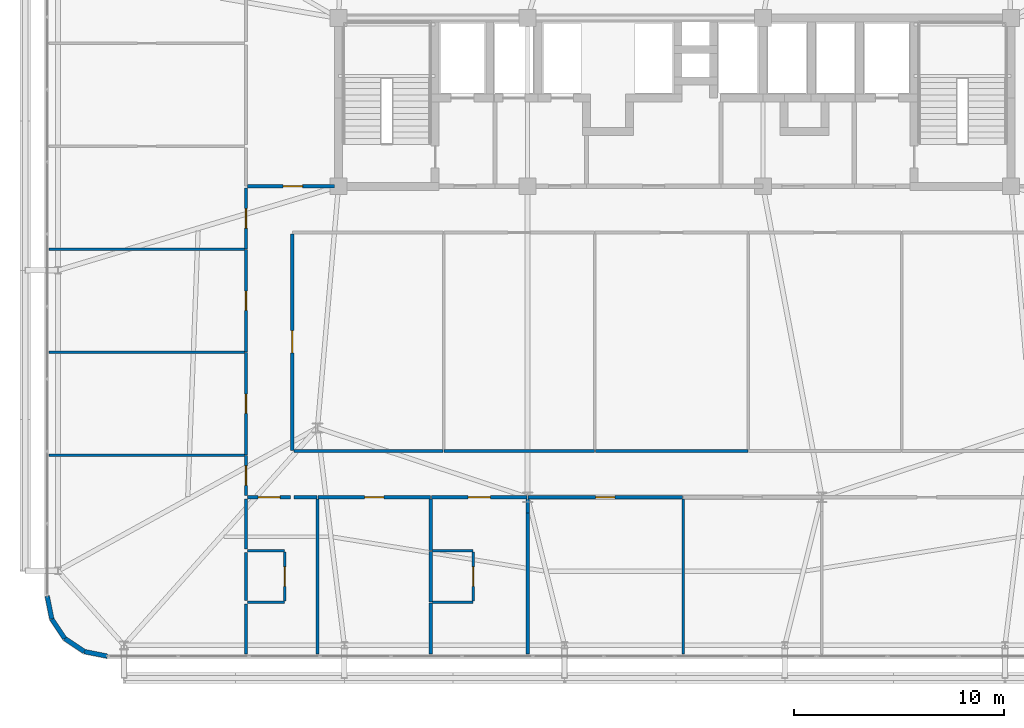
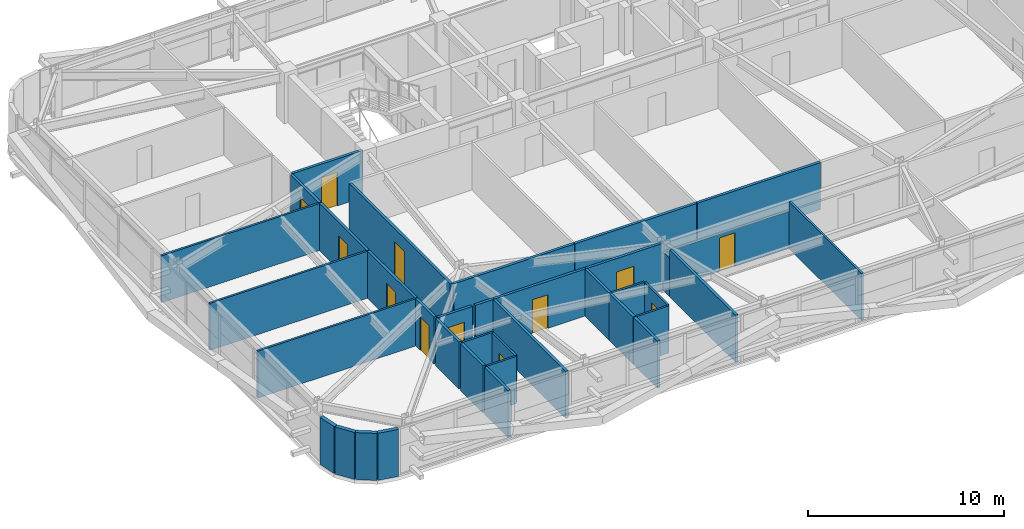
# One storey, part 52 of 58: 37 walls, 12 doors, 12 openings.
"""IFC4 building model written with IfcOpenShell, lengths in metres."""

from ifc_helpers import new_model, si_unit, direction, frame, frame_2d, origin, place, context, subcontext, project, spatial, rectangle, extrude, source, transform, mapped, material, layer, layer_set, type_object, element, fill, save


model = new_model("IFC4")

# Units and contexts
model_context = context("Model", 3, precision=1e-05, world=origin(), true_north=direction((0.0, 1.0)))
body_context = subcontext(model_context, "Body", "Model", "MODEL_VIEW")
ifc_project = project(units=[si_unit("LENGTHUNIT", "METRE"), si_unit("AREAUNIT", "SQUARE_METRE"), si_unit("VOLUMEUNIT", "CUBIC_METRE"), si_unit("PLANEANGLEUNIT", "RADIAN"), si_unit("MASSUNIT", "GRAM", prefix="KILO")], contexts=[model_context])

# Site, building, storey
site_placement = place(None, origin())
site = spatial("IfcSite", under=ifc_project, at=site_placement, CompositionType="ELEMENT")
building_placement = place(site_placement, origin())
building = spatial("IfcBuilding", under=site, at=building_placement, Name="Taldren Reach Tower", CompositionType="ELEMENT")
storey_placement = place(building_placement, frame((0.0, 0.0, 32.550048828125)))
storey = spatial("IfcBuildingStorey", under=building, at=storey_placement, Name="L09", CompositionType="ELEMENT", Elevation=32.550048828125)

# Walls
ifc_material_1 = material(Name="Pale Champagne Anodised Aluminium Cladding", Category="aluminium")
ifc_layer_1 = layer(ifc_material_1, 0.04, Name="Pale Champagne Anodised Aluminium Cladding", Category="aluminium")
ifc_material_2 = material(Name="Mineral Wool Acoustic Insulation", Category="insulation")
ifc_layer_2 = layer(ifc_material_2, 0.06, Name="Mineral Wool Acoustic Insulation", Category="insulation")
ifc_material_3 = material(Name="Steel Gr 350 (C350L0)", Category="steel")
ifc_layer_3 = layer(ifc_material_3, 0.12, Name="Steel Gr 350 (C350L0)", Category="steel")
ifc_layer_set_1 = layer_set([ifc_layer_1, ifc_layer_2, ifc_layer_3], Name="Pale Champagne Aluminium Cladding and Steel Gr 350 Stud Framing")
wall_type_1 = type_object("IfcWallType", Name="EW-CRN-220", PredefinedType="SOLIDWALL", material=ifc_layer_set_1)
shared_shape_1 = source(origin(), body_context, "Body", "SweptSolid", [
    extrude(rectangle(XDim=1.115966796875, YDim=0.219970703125, at=frame_2d((0.55810546875, 0.0))), origin(), (0.0, 0.0, 1.0), 2.929931640625),
])
for number, where, z_axis, x_axis, name in (
    (1, (5.139892578125, 4.5, 0.0), (0.0, 0.0, 1.0), (0.195148375659, -0.98077373103, 0.0), "Rounded-corner pale-metal facade wall L09-SW1"),
    (2, (5.357666015625, 3.405517578125, 0.0), (0.0, 0.0, 1.0), (0.555709556774, -0.83137650226, 0.0), "Rounded-corner pale-metal facade wall L09-SW2"),
    (3, (5.977783203125, 2.477783203125, 0.0), (0.0, 0.0, 1.0), (0.83137650226, -0.555709556774, 0.0), "Rounded-corner pale-metal facade wall L09-SW3"),
    (4, (6.905517578125, 1.857666015625, 0.0), (0.0, 0.0, 1.0), (0.98077373103, -0.195148375659, 0.0), "Rounded-corner pale-metal facade wall L09-SW4"),
):
    element("IfcWall", number, at=place(storey_placement, frame(where, z_axis=z_axis, x_axis=x_axis)), inside=storey, type_object=wall_type_1, Name=name, PredefinedType="SOLIDWALL", context=body_context, shape_type="MappedRepresentation", body=[
        mapped(shared_shape_1, transform((0.0, 0.0, 0.0), scale=1.0)),
    ])

# Wall, opening, door
ifc_material_4 = material(Name="Fire-Rated Acoustic Plasterboard Stud Wall", Category="gypsum")
ifc_layer_4 = layer(ifc_material_4, 0.159912109375)
ifc_layer_set_2 = layer_set([ifc_layer_4], Name="Fire-Rated Acoustic Plasterboard Stud Wall")
wall_type_2 = type_object("IfcWallType", Name="IW-FIRE-160", PredefinedType="PARTITIONING", material=ifc_layer_set_2)
shared_shape_2 = source(origin(), body_context, "Body", "SweptSolid", [
    extrude(rectangle(XDim=10.2998046875, YDim=0.159912109375, at=frame_2d((5.14990234375, 0.0))), origin(), (0.0, 0.0, 1.0), 2.929931640625),
])
wall_1_placement = place(storey_placement, frame((16.800048828125, 21.719970703125, 0.0), z_axis=(0.0, 0.0, 1.0), x_axis=(0.0, -1.0, 0.0)))
wall_1 = element("IfcWall", 5, at=wall_1_placement, inside=storey, type_object=wall_type_2, Name="Interior Partition Wall W-INT-L09-045", PredefinedType="PARTITIONING", context=body_context, shape_type="MappedRepresentation", body=[
    mapped(shared_shape_2, transform((0.0, 0.0, 0.0), scale=1.0)),
])
shared_shape_3 = source(origin(), body_context, "Body", "SweptSolid", [
    extrude(rectangle(XDim=1.050048828125, YDim=2.10009765625, at=frame_2d((0.52490234375, 1.050048828125))), frame((0.0, 0.08984375, 0.0), z_axis=(0.0, -1.0, 0.0), x_axis=(1.0, 0.0, 0.0)), (0.0, 0.0, 1.0), 0.179931640625),
])
opening_1_placement = place(wall_1_placement, frame((4.594970703125, 0.0, 0.0)))
opening_1 = element("IfcOpeningElement", 6, at=opening_1_placement, cuts=wall_1, Name="Opening DF-105", PredefinedType="OPENING", context=body_context, shape_type="MappedRepresentation", body=[
    mapped(shared_shape_3, transform((0.0, 0.0, 0.0), scale=1.0)),
])
ifc_material_5 = material(Name="Fire-Rated Care and Stair Exit Door")
door_type_1 = type_object("IfcDoorType", Name="ID-FIRE-105", OperationType="NOTDEFINED", PredefinedType="DOOR", material=ifc_material_5)
shared_shape_4 = source(origin(), body_context, "Body", "SweptSolid", [
    extrude(rectangle(XDim=1.050048828125, YDim=2.10009765625, at=frame_2d((0.52490234375, 1.050048828125))), frame((0.0, 0.02490234375, 0.0), z_axis=(0.0, -1.0, 0.0), x_axis=(1.0, 0.0, 0.0)), (0.0, 0.0, 1.0), 0.050048828125),
])
door_1_placement = place(opening_1_placement, origin())
door_1 = element("IfcDoor", 7, at=door_1_placement, inside=storey, type_object=door_type_1, Name="Interior Door DR-L09-008", OperationType="SINGLE_SWING_LEFT", OverallHeight=2.10009765625, OverallWidth=1.050048828125, PredefinedType="DOOR", context=body_context, shape_type="MappedRepresentation", body=[
    mapped(shared_shape_4, transform((0.0, 0.0, 0.0), scale=1.0)),
])
fill(opening_1, door_1)

shared_shape_5 = source(origin(), body_context, "Body", "SweptSolid", [
    extrude(rectangle(XDim=2.0400390625, YDim=0.159912109375, at=frame_2d((1.02001953125, 0.0))), origin(), (0.0, 0.0, 1.0), 2.929931640625),
])
wall_2_placement = place(storey_placement, frame((16.719970703125, 9.199951171875, 0.0), z_axis=(0.0, 0.0, 1.0), x_axis=(-1.0, 0.0, 0.0)))
wall_2 = element("IfcWall", 8, at=wall_2_placement, inside=storey, type_object=wall_type_2, Name="Interior Partition Wall W-INT-L09-052", PredefinedType="PARTITIONING", context=body_context, shape_type="MappedRepresentation", body=[
    mapped(shared_shape_5, transform((0.0, 0.0, 0.0), scale=1.0)),
])
opening_2_placement = place(wall_2_placement, frame((0.4951171875, 0.0, 0.0)))
opening_2 = element("IfcOpeningElement", 9, at=opening_2_placement, cuts=wall_2, Name="Opening DF-105", PredefinedType="OPENING", context=body_context, shape_type="MappedRepresentation", body=[
    mapped(shared_shape_3, transform((0.0, 0.0, 0.0), scale=1.0)),
])
door_2_placement = place(opening_2_placement, origin())
door_2 = element("IfcDoor", 10, at=door_2_placement, inside=storey, type_object=door_type_1, Name="Interior Door DR-L09-013", OperationType="SINGLE_SWING_RIGHT", OverallHeight=2.10009765625, OverallWidth=1.050048828125, PredefinedType="DOOR", context=body_context, shape_type="MappedRepresentation", body=[
    mapped(shared_shape_4, transform((0.0, 0.0, 0.0), scale=1.0)),
])
fill(opening_2, door_2)

shared_shape_6 = source(origin(), body_context, "Body", "SweptSolid", [
    extrude(rectangle(XDim=4.130126953125, YDim=0.159912109375, at=frame_2d((2.06494140625, 0.0))), origin(), (0.0, 0.0, 1.0), 2.929931640625),
])
wall_3_placement = place(storey_placement, frame((14.679931640625, 24.0, 0.0), z_axis=(0.0, 0.0, 1.0), x_axis=(1.0, 0.0, 0.0)))
wall_3 = element("IfcWall", 11, at=wall_3_placement, inside=storey, type_object=wall_type_2, Name="Interior Partition Wall W-INT-L09-060", PredefinedType="PARTITIONING", context=body_context, shape_type="MappedRepresentation", body=[
    mapped(shared_shape_6, transform((0.0, 0.0, 0.0), scale=1.0)),
])
shared_shape_7 = source(origin(), body_context, "Body", "SweptSolid", [
    extrude(rectangle(XDim=0.919921875, YDim=2.10009765625, at=frame_2d((0.4599609375, 1.050048828125))), frame((0.0, 0.08984375, 0.0), z_axis=(0.0, -1.0, 0.0), x_axis=(1.0, 0.0, 0.0)), (0.0, 0.0, 1.0), 0.179931640625),
])
opening_3_placement = place(wall_3_placement, frame((1.68994140625, 0.0, 0.0)))
opening_3 = element("IfcOpeningElement", 12, at=opening_3_placement, cuts=wall_3, Name="Opening DI-092", PredefinedType="OPENING", context=body_context, shape_type="MappedRepresentation", body=[
    mapped(shared_shape_7, transform((0.0, 0.0, 0.0), scale=1.0)),
])
ifc_material_6 = material(Name="Solid-Core Timber Suite Door", Category="wood")
door_type_2 = type_object("IfcDoorType", Name="ID-INT-092", OperationType="NOTDEFINED", PredefinedType="DOOR", material=ifc_material_6)
shared_shape_8 = source(origin(), body_context, "Body", "SweptSolid", [
    extrude(rectangle(XDim=0.919921875, YDim=2.10009765625, at=frame_2d((0.4599609375, 1.050048828125))), frame((0.0, 0.02490234375, 0.0), z_axis=(0.0, -1.0, 0.0), x_axis=(1.0, 0.0, 0.0)), (0.0, 0.0, 1.0), 0.050048828125),
])
door_3_placement = place(opening_3_placement, origin())
door_3 = element("IfcDoor", 13, at=door_3_placement, inside=storey, type_object=door_type_2, Name="Interior Door DR-L09-021", OperationType="SINGLE_SWING_RIGHT", OverallHeight=2.10009765625, OverallWidth=0.919921875, PredefinedType="DOOR", context=body_context, shape_type="MappedRepresentation", body=[
    mapped(shared_shape_8, transform((0.0, 0.0, 0.0), scale=1.0)),
])
fill(opening_3, door_3)

# Wall
ifc_material_7 = material(Name="Insulated Residential Stud Partition", Category="gypsum")
ifc_layer_5 = layer(ifc_material_7, 0.1201171875)
ifc_layer_set_3 = layer_set([ifc_layer_5], Name="Insulated Residential Stud Partition")
wall_type_3 = type_object("IfcWallType", Name="IW-PART-120", PredefinedType="PARTITIONING", material=ifc_layer_set_3)
shared_shape_9 = source(origin(), body_context, "Body", "SweptSolid", [
    extrude(rectangle(XDim=7.39013671875, YDim=0.1201171875, at=frame_2d((3.695068359375, 0.0))), origin(), (0.0, 0.0, 1.0), 2.929931640625),
])
wall_4_placement = place(storey_placement, frame((35.39990234375, 9.1201171875, 0.0), z_axis=(0.0, 0.0, 1.0), x_axis=(0.0, -1.0, 0.0)))
element("IfcWall", 14, at=wall_4_placement, inside=storey, type_object=wall_type_3, Name="Interior Partition Wall W-INT-L09-092", PredefinedType="PARTITIONING", context=body_context, shape_type="MappedRepresentation", body=[
    mapped(shared_shape_9, transform((0.0, 0.0, 0.0), scale=1.0)),
])

# Wall, opening, door
shared_shape_10 = source(origin(), body_context, "Body", "SweptSolid", [
    extrude(rectangle(XDim=1.899658203125, YDim=0.159912109375, at=frame_2d((0.94970703125, 0.0))), origin(), (0.0, 0.0, 1.0), 2.929931640625),
])
wall_5_placement = place(storey_placement, frame((14.60009765625, 9.280029296875, 0.0), z_axis=(0.0, 0.0, 1.0), x_axis=(0.0, 1.0, 0.0)))
wall_5 = element("IfcWall", 15, at=wall_5_placement, inside=storey, type_object=wall_type_2, Name="Interior Partition Wall W-INT-L09-054", PredefinedType="PARTITIONING", context=body_context, shape_type="MappedRepresentation", body=[
    mapped(shared_shape_10, transform((0.0, 0.0, 0.0), scale=1.0)),
])
opening_4_placement = place(wall_5_placement, frame((0.489990234375, 0.0, 0.0)))
opening_4 = element("IfcOpeningElement", 16, at=opening_4_placement, cuts=wall_5, Name="Opening DI-092", PredefinedType="OPENING", context=body_context, shape_type="MappedRepresentation", body=[
    mapped(shared_shape_7, transform((0.0, 0.0, 0.0), scale=1.0)),
])
door_4_placement = place(opening_4_placement, origin())
door_4 = element("IfcDoor", 17, at=door_4_placement, inside=storey, type_object=door_type_2, Name="Interior Door DR-L09-015", OperationType="SINGLE_SWING_RIGHT", OverallHeight=2.10009765625, OverallWidth=0.919921875, PredefinedType="DOOR", context=body_context, shape_type="MappedRepresentation", body=[
    mapped(shared_shape_8, transform((0.0, 0.0, 0.0), scale=1.0)),
])
fill(opening_4, door_4)

# Wall
shared_shape_11 = source(origin(), body_context, "Body", "SweptSolid", [
    extrude(rectangle(XDim=1.099853515625, YDim=0.159912109375, at=frame_2d((0.5498046875, 0.0))), origin(), (0.0, 0.0, 1.0), 2.929931640625),
])
wall_6_placement = place(storey_placement, frame((17.979736328125, 9.199951171875, 0.0), z_axis=(0.0, 0.0, 1.0), x_axis=(-1.0, 0.0, 0.0)))
element("IfcWall", 18, at=wall_6_placement, inside=storey, type_object=wall_type_2, Name="Interior Partition Wall W-INT-L09-067", PredefinedType="PARTITIONING", context=body_context, shape_type="MappedRepresentation", body=[
    mapped(shared_shape_11, transform((0.0, 0.0, 0.0), scale=1.0)),
])

# Wall, opening, door
shared_shape_12 = source(origin(), body_context, "Body", "SweptSolid", [
    extrude(rectangle(XDim=5.359619140625, YDim=0.159912109375, at=frame_2d((2.6796875, 0.0))), origin(), (0.0, 0.0, 1.0), 2.929931640625),
])
wall_7_placement = place(storey_placement, frame((23.3798828125, 9.199951171875, 0.0), z_axis=(0.0, 0.0, 1.0), x_axis=(-1.0, 0.0, 0.0)))
wall_7 = element("IfcWall", 19, at=wall_7_placement, inside=storey, type_object=wall_type_2, Name="Interior Partition Wall W-INT-L09-068", PredefinedType="PARTITIONING", context=body_context, shape_type="MappedRepresentation", body=[
    mapped(shared_shape_12, transform((0.0, 0.0, 0.0), scale=1.0)),
])
opening_5_placement = place(wall_7_placement, frame((2.2197265625, 0.0, 0.0)))
opening_5 = element("IfcOpeningElement", 20, at=opening_5_placement, cuts=wall_7, Name="Opening DI-092", PredefinedType="OPENING", context=body_context, shape_type="MappedRepresentation", body=[
    mapped(shared_shape_7, transform((0.0, 0.0, 0.0), scale=1.0)),
])
door_5_placement = place(opening_5_placement, origin())
door_5 = element("IfcDoor", 21, at=door_5_placement, inside=storey, type_object=door_type_2, Name="Interior Door DR-L09-022", OperationType="SINGLE_SWING_LEFT", OverallHeight=2.10009765625, OverallWidth=0.919921875, PredefinedType="DOOR", context=body_context, shape_type="MappedRepresentation", body=[
    mapped(shared_shape_8, transform((0.0, 0.0, 0.0), scale=1.0)),
])
fill(opening_5, door_5)

shared_shape_13 = source(origin(), body_context, "Body", "SweptSolid", [
    extrude(rectangle(XDim=4.559326171875, YDim=0.159912109375, at=frame_2d((2.27978515625, 0.0))), origin(), (0.0, 0.0, 1.0), 2.929931640625),
])
wall_8_placement = place(storey_placement, frame((27.979736328125, 9.199951171875, 0.0), z_axis=(0.0, 0.0, 1.0), x_axis=(-1.0, 0.0, 0.0)))
wall_8 = element("IfcWall", 22, at=wall_8_placement, inside=storey, type_object=wall_type_2, Name="Interior Partition Wall W-INT-L09-069", PredefinedType="PARTITIONING", context=body_context, shape_type="MappedRepresentation", body=[
    mapped(shared_shape_13, transform((0.0, 0.0, 0.0), scale=1.0)),
])
opening_6_placement = place(wall_8_placement, frame((1.754638671875, 0.0, 0.0)))
opening_6 = element("IfcOpeningElement", 23, at=opening_6_placement, cuts=wall_8, Name="Opening DF-105", PredefinedType="OPENING", context=body_context, shape_type="MappedRepresentation", body=[
    mapped(shared_shape_3, transform((0.0, 0.0, 0.0), scale=1.0)),
])
door_6_placement = place(opening_6_placement, origin())
door_6 = element("IfcDoor", 24, at=door_6_placement, inside=storey, type_object=door_type_1, Name="Interior Door DR-L09-023", OperationType="SINGLE_SWING_RIGHT", OverallHeight=2.10009765625, OverallWidth=1.050048828125, PredefinedType="DOOR", context=body_context, shape_type="MappedRepresentation", body=[
    mapped(shared_shape_4, transform((0.0, 0.0, 0.0), scale=1.0)),
])
fill(opening_6, door_6)

shared_shape_14 = source(origin(), body_context, "Body", "SweptSolid", [
    extrude(rectangle(XDim=2.330078125, YDim=0.1201171875, at=frame_2d((1.1650390625, 0.0))), origin(), (0.0, 0.0, 1.0), 2.929931640625),
])
wall_9_placement = place(storey_placement, frame((16.449951171875, 4.260009765625, 0.0), z_axis=(0.0, 0.0, 1.0), x_axis=(0.0, 1.0, 0.0)))
wall_9 = element("IfcWall", 25, at=wall_9_placement, inside=storey, type_object=wall_type_3, Name="Interior Partition Wall W-INT-L09-078", PredefinedType="PARTITIONING", context=body_context, shape_type="MappedRepresentation", body=[
    mapped(shared_shape_14, transform((0.0, 0.0, 0.0), scale=1.0)),
])
shared_shape_15 = source(origin(), body_context, "Body", "SweptSolid", [
    extrude(rectangle(XDim=0.919921875, YDim=2.10009765625, at=frame_2d((0.4599609375, 1.050048828125))), frame((0.0, 0.070068359375, 0.0), z_axis=(0.0, -1.0, 0.0), x_axis=(1.0, 0.0, 0.0)), (0.0, 0.0, 1.0), 0.14013671875),
])
opening_7_placement = place(wall_9_placement, frame((0.705078125, 0.0, 0.0)))
opening_7 = element("IfcOpeningElement", 26, at=opening_7_placement, cuts=wall_9, Name="Opening DI-092", PredefinedType="OPENING", context=body_context, shape_type="MappedRepresentation", body=[
    mapped(shared_shape_15, transform((0.0, 0.0, 0.0), scale=1.0)),
])
door_7_placement = place(opening_7_placement, origin())
door_7 = element("IfcDoor", 27, at=door_7_placement, inside=storey, type_object=door_type_2, Name="Interior Door DR-L09-027", OperationType="SINGLE_SWING_RIGHT", OverallHeight=2.10009765625, OverallWidth=0.919921875, PredefinedType="DOOR", context=body_context, shape_type="MappedRepresentation", body=[
    mapped(shared_shape_8, transform((0.0, 0.0, 0.0), scale=1.0)),
])
fill(opening_7, door_7)

wall_10_placement = place(storey_placement, frame((25.424072265625, 4.260009765625, 0.0), z_axis=(0.0, 0.0, 1.0), x_axis=(0.0, 1.0, 0.0)))
wall_10 = element("IfcWall", 28, at=wall_10_placement, inside=storey, type_object=wall_type_3, Name="Interior Partition Wall W-INT-L09-088", PredefinedType="PARTITIONING", context=body_context, shape_type="MappedRepresentation", body=[
    mapped(shared_shape_14, transform((0.0, 0.0, 0.0), scale=1.0)),
])
opening_8_placement = place(wall_10_placement, frame((0.705078125, 0.0, 0.0)))
opening_8 = element("IfcOpeningElement", 29, at=opening_8_placement, cuts=wall_10, Name="Opening DI-092", PredefinedType="OPENING", context=body_context, shape_type="MappedRepresentation", body=[
    mapped(shared_shape_15, transform((0.0, 0.0, 0.0), scale=1.0)),
])
door_8_placement = place(opening_8_placement, origin())
door_8 = element("IfcDoor", 30, at=door_8_placement, inside=storey, type_object=door_type_2, Name="Interior Door DR-L09-028", OperationType="SINGLE_SWING_LEFT", OverallHeight=2.10009765625, OverallWidth=0.919921875, PredefinedType="DOOR", context=body_context, shape_type="MappedRepresentation", body=[
    mapped(shared_shape_8, transform((0.0, 0.0, 0.0), scale=1.0)),
])
fill(opening_8, door_8)

# Walls
shared_shape_16 = source(origin(), body_context, "Body", "SweptSolid", [
    extrude(rectangle(XDim=1.749755859375, YDim=0.1201171875, at=frame_2d((0.875, 0.0))), origin(), (0.0, 0.0, 1.0), 2.929931640625),
])
for number, where, z_axis, x_axis, name in (
    (31, (14.679931640625, 4.199951171875, 0.0), (0.0, 0.0, 1.0), (1.0, 0.0, 0.0), "Interior Partition Wall W-INT-L09-079"),
    (32, (16.4296875, 6.64990234375, 0.0), (0.0, 0.0, 1.0), (-1.0, 0.0, 0.0), "Interior Partition Wall W-INT-L09-080"),
):
    element("IfcWall", number, at=place(storey_placement, frame(where, z_axis=z_axis, x_axis=x_axis)), inside=storey, type_object=wall_type_3, Name=name, PredefinedType="PARTITIONING", context=body_context, shape_type="MappedRepresentation", body=[
        mapped(shared_shape_16, transform((0.0, 0.0, 0.0), scale=1.0)),
    ])
shared_shape_17 = source(origin(), body_context, "Body", "SweptSolid", [
    extrude(rectangle(XDim=2.40966796875, YDim=0.159912109375, at=frame_2d((1.204833984375, 0.0))), origin(), (0.0, 0.0, 1.0), 2.929931640625),
])
wall_11_placement = place(storey_placement, frame((23.39990234375, 6.6298828125, 0.0), z_axis=(0.0, 0.0, 1.0), x_axis=(0.0, -1.0, 0.0)))
element("IfcWall", 33, at=wall_11_placement, inside=storey, type_object=wall_type_2, Name="Interior Partition Wall W-INT-L09-087", PredefinedType="PARTITIONING", context=body_context, shape_type="MappedRepresentation", body=[
    mapped(shared_shape_17, transform((0.0, 0.0, 0.0), scale=1.0)),
])
shared_shape_18 = source(origin(), body_context, "Body", "SweptSolid", [
    extrude(rectangle(XDim=2.38818359375, YDim=0.159912109375, at=frame_2d((1.194091796875, 0.0))), origin(), (0.0, 0.0, 1.0), 2.929931640625),
])
wall_12_placement = place(storey_placement, frame((14.60009765625, 1.73193359375, 0.0), z_axis=(0.0, 0.0, 1.0), x_axis=(0.0, 1.0, 0.0)))
element("IfcWall", 34, at=wall_12_placement, inside=storey, type_object=wall_type_2, Name="Interior Partition Wall W-INT-L09-082", PredefinedType="PARTITIONING", context=body_context, shape_type="MappedRepresentation", body=[
    mapped(shared_shape_18, transform((0.0, 0.0, 0.0), scale=1.0)),
])
shared_shape_19 = source(origin(), body_context, "Body", "SweptSolid", [
    extrude(rectangle(XDim=2.387939453125, YDim=0.159912109375, at=frame_2d((1.19384765625, 0.0))), origin(), (0.0, 0.0, 1.0), 2.929931640625),
])
wall_13_placement = place(storey_placement, frame((14.60009765625, 6.72998046875, 0.0), z_axis=(0.0, 0.0, 1.0), x_axis=(0.0, 1.0, 0.0)))
element("IfcWall", 35, at=wall_13_placement, inside=storey, type_object=wall_type_2, Name="Interior Partition Wall W-INT-L09-083", PredefinedType="PARTITIONING", context=body_context, shape_type="MappedRepresentation", body=[
    mapped(shared_shape_19, transform((0.0, 0.0, 0.0), scale=1.0)),
])
shared_shape_20 = source(origin(), body_context, "Body", "SweptSolid", [
    extrude(rectangle(XDim=2.2900390625, YDim=0.159912109375, at=frame_2d((1.14501953125, 0.0))), origin(), (0.0, 0.0, 1.0), 2.929931640625),
])
wall_14_placement = place(storey_placement, frame((14.60009765625, 4.280029296875, 0.0), z_axis=(0.0, 0.0, 1.0), x_axis=(0.0, 1.0, 0.0)))
element("IfcWall", 36, at=wall_14_placement, inside=storey, type_object=wall_type_2, Name="Interior Partition Wall W-INT-L09-084", PredefinedType="PARTITIONING", context=body_context, shape_type="MappedRepresentation", body=[
    mapped(shared_shape_20, transform((0.0, 0.0, 0.0), scale=1.0)),
])
shared_shape_21 = source(origin(), body_context, "Body", "SweptSolid", [
    extrude(rectangle(XDim=7.385986328125, YDim=0.159912109375, at=frame_2d((3.69287109375, 0.0))), origin(), (0.0, 0.0, 1.0), 2.929931640625),
])
wall_15_placement = place(storey_placement, frame((18.0, 9.117919921875, 0.0), z_axis=(0.0, 0.0, 1.0), x_axis=(0.0, -1.0, 0.0)))
element("IfcWall", 37, at=wall_15_placement, inside=storey, type_object=wall_type_2, Name="Interior Partition Wall W-INT-L09-081", PredefinedType="PARTITIONING", context=body_context, shape_type="MappedRepresentation", body=[
    mapped(shared_shape_21, transform((0.0, 0.0, 0.0), scale=1.0)),
])
shared_shape_22 = source(origin(), body_context, "Body", "SweptSolid", [
    extrude(rectangle(XDim=2.44970703125, YDim=0.159912109375, at=frame_2d((1.224853515625, 0.0))), origin(), (0.0, 0.0, 1.0), 2.929931640625),
])
wall_16_placement = place(storey_placement, frame((23.39990234375, 4.1796875, 0.0), z_axis=(0.0, 0.0, 1.0), x_axis=(0.0, -1.0, 0.0)))
element("IfcWall", 38, at=wall_16_placement, inside=storey, type_object=wall_type_2, Name="Interior Partition Wall W-INT-L09-085", PredefinedType="PARTITIONING", context=body_context, shape_type="MappedRepresentation", body=[
    mapped(shared_shape_22, transform((0.0, 0.0, 0.0), scale=1.0)),
])
shared_shape_23 = source(origin(), body_context, "Body", "SweptSolid", [
    extrude(rectangle(XDim=0.669921875, YDim=0.159912109375, at=frame_2d((0.3349609375, 0.0))), origin(), (0.0, 0.0, 1.0), 2.39697265625),
])
wall_17_placement = place(storey_placement, frame((28.0, 9.117919921875, 0.0), z_axis=(0.0, 0.0, 1.0), x_axis=(0.0, -1.0, 0.0)))
element("IfcWall", 39, at=wall_17_placement, inside=storey, type_object=wall_type_2, Name="Interior Partition Wall W-INT-L09-091", PredefinedType="PARTITIONING", context=body_context, shape_type="MappedRepresentation", body=[
    mapped(shared_shape_23, transform((0.0, 0.0, 0.0), scale=1.0)),
])
shared_shape_24 = source(origin(), body_context, "Body", "SweptSolid", [
    extrude(rectangle(XDim=6.716064453125, YDim=0.159912109375, at=frame_2d((3.35791015625, 0.0))), origin(), (0.0, 0.0, 1.0), 2.929931640625),
])
wall_18_placement = place(storey_placement, frame((28.0, 8.447998046875, 0.0), z_axis=(0.0, 0.0, 1.0), x_axis=(0.0, -1.0, 0.0)))
element("IfcWall", 40, at=wall_18_placement, inside=storey, type_object=wall_type_2, Name="Interior Partition Wall W-INT-L09-091 part 2", PredefinedType="PARTITIONING", context=body_context, shape_type="MappedRepresentation", body=[
    mapped(shared_shape_24, transform((0.0, 0.0, 0.0), scale=1.0)),
])
shared_shape_25 = source(origin(), body_context, "Body", "SweptSolid", [
    extrude(rectangle(XDim=2.449951171875, YDim=0.159912109375, at=frame_2d((1.22509765625, 0.0))), origin(), (0.0, 0.0, 1.0), 2.929931640625),
])
wall_19_placement = place(storey_placement, frame((23.39990234375, 9.1201171875, 0.0), z_axis=(0.0, 0.0, 1.0), x_axis=(0.0, -1.0, 0.0)))
element("IfcWall", 41, at=wall_19_placement, inside=storey, type_object=wall_type_2, Name="Interior Partition Wall W-INT-L09-086", PredefinedType="PARTITIONING", context=body_context, shape_type="MappedRepresentation", body=[
    mapped(shared_shape_25, transform((0.0, 0.0, 0.0), scale=1.0)),
])
shared_shape_26 = source(origin(), body_context, "Body", "SweptSolid", [
    extrude(rectangle(XDim=1.923828125, YDim=0.1201171875, at=frame_2d((0.9619140625, 0.0))), origin(), (0.0, 0.0, 1.0), 2.929931640625),
])
for number, where, z_axis, x_axis, name in (
    (42, (23.47998046875, 4.199951171875, 0.0), (0.0, 0.0, 1.0), (1.0, 0.0, 0.0), "Interior Partition Wall W-INT-L09-089"),
    (43, (25.40380859375, 6.64990234375, 0.0), (0.0, 0.0, 1.0), (-1.0, 0.0, 0.0), "Interior Partition Wall W-INT-L09-090"),
):
    element("IfcWall", number, at=place(storey_placement, frame(where, z_axis=z_axis, x_axis=x_axis)), inside=storey, type_object=wall_type_3, Name=name, PredefinedType="PARTITIONING", context=body_context, shape_type="MappedRepresentation", body=[
        mapped(shared_shape_26, transform((0.0, 0.0, 0.0), scale=1.0)),
    ])
shared_shape_27 = source(origin(), body_context, "Body", "SweptSolid", [
    extrude(rectangle(XDim=9.2900390625, YDim=0.1201171875, at=frame_2d((4.64501953125, 0.0))), origin(), (0.0, 0.0, 1.0), 2.929931640625),
])
for number, where, z_axis, x_axis, name in (
    (44, (5.22998046875, 11.199951171875, 0.0), (0.0, 0.0, 1.0), (1.0, 0.0, 0.0), "Interior Partition Wall W-INT-L09-101"),
    (45, (5.22998046875, 16.10009765625, 0.0), (0.0, 0.0, 1.0), (1.0, 0.0, 0.0), "Interior Partition Wall W-INT-L09-102"),
    (46, (5.22998046875, 21.0, 0.0), (0.0, 0.0, 1.0), (1.0, 0.0, 0.0), "Interior Partition Wall W-INT-L09-103"),
):
    element("IfcWall", number, at=place(storey_placement, frame(where, z_axis=z_axis, x_axis=x_axis)), inside=storey, type_object=wall_type_3, Name=name, PredefinedType="PARTITIONING", context=body_context, shape_type="MappedRepresentation", body=[
        mapped(shared_shape_27, transform((0.0, 0.0, 0.0), scale=1.0)),
    ])
shared_shape_28 = source(origin(), body_context, "Body", "SweptSolid", [
    extrude(rectangle(XDim=7.159423828125, YDim=0.159912109375, at=frame_2d((3.57958984375, 0.0))), origin(), (0.0, 0.0, 1.0), 2.929931640625),
])
wall_20_placement = place(storey_placement, frame((24.020263671875, 11.39990234375, 0.0), z_axis=(0.0, 0.0, 1.0), x_axis=(1.0, 0.0, 0.0)))
element("IfcWall", 47, at=wall_20_placement, inside=storey, type_object=wall_type_2, Name="Interior Partition Wall W-INT-L09-063", PredefinedType="PARTITIONING", context=body_context, shape_type="MappedRepresentation", body=[
    mapped(shared_shape_28, transform((0.0, 0.0, 0.0), scale=1.0)),
])
shared_shape_29 = source(origin(), body_context, "Body", "SweptSolid", [
    extrude(rectangle(XDim=7.259521484375, YDim=0.159912109375, at=frame_2d((3.6298828125, 0.0))), origin(), (0.0, 0.0, 1.0), 2.929931640625),
])
wall_21_placement = place(storey_placement, frame((31.22021484375, 11.39990234375, 0.0), z_axis=(0.0, 0.0, 1.0), x_axis=(1.0, 0.0, 0.0)))
element("IfcWall", 48, at=wall_21_placement, inside=storey, type_object=wall_type_2, Name="Interior Partition Wall W-INT-L09-064", PredefinedType="PARTITIONING", context=body_context, shape_type="MappedRepresentation", body=[
    mapped(shared_shape_29, transform((0.0, 0.0, 0.0), scale=1.0)),
])

# Wall, opening, door
shared_shape_30 = source(origin(), body_context, "Body", "SweptSolid", [
    extrude(rectangle(XDim=4.859619140625, YDim=0.159912109375, at=frame_2d((2.4296875, 0.0))), origin(), (0.0, 0.0, 1.0), 2.929931640625),
])
wall_22_placement = place(storey_placement, frame((14.60009765625, 11.22021484375, 0.0), z_axis=(0.0, 0.0, 1.0), x_axis=(0.0, 1.0, 0.0)))
wall_22 = element("IfcWall", 49, at=wall_22_placement, inside=storey, type_object=wall_type_2, Name="Interior Partition Wall W-INT-L09-055", PredefinedType="PARTITIONING", context=body_context, shape_type="MappedRepresentation", body=[
    mapped(shared_shape_30, transform((0.0, 0.0, 0.0), scale=1.0)),
])
opening_9_placement = place(wall_22_placement, frame((1.9697265625, 0.0, 0.0)))
opening_9 = element("IfcOpeningElement", 50, at=opening_9_placement, cuts=wall_22, Name="Opening DI-092", PredefinedType="OPENING", context=body_context, shape_type="MappedRepresentation", body=[
    mapped(shared_shape_7, transform((0.0, 0.0, 0.0), scale=1.0)),
])
door_9_placement = place(opening_9_placement, origin())
door_9 = element("IfcDoor", 51, at=door_9_placement, inside=storey, type_object=door_type_2, Name="Interior Door DR-L09-016", OperationType="SINGLE_SWING_LEFT", OverallHeight=2.10009765625, OverallWidth=0.919921875, PredefinedType="DOOR", context=body_context, shape_type="MappedRepresentation", body=[
    mapped(shared_shape_8, transform((0.0, 0.0, 0.0), scale=1.0)),
])
fill(opening_9, door_9)

wall_23_placement = place(storey_placement, frame((14.60009765625, 16.1201171875, 0.0), z_axis=(0.0, 0.0, 1.0), x_axis=(0.0, 1.0, 0.0)))
wall_23 = element("IfcWall", 52, at=wall_23_placement, inside=storey, type_object=wall_type_2, Name="Interior Partition Wall W-INT-L09-056", PredefinedType="PARTITIONING", context=body_context, shape_type="MappedRepresentation", body=[
    mapped(shared_shape_30, transform((0.0, 0.0, 0.0), scale=1.0)),
])
opening_10_placement = place(wall_23_placement, frame((1.9697265625, 0.0, 0.0)))
opening_10 = element("IfcOpeningElement", 53, at=opening_10_placement, cuts=wall_23, Name="Opening DI-092", PredefinedType="OPENING", context=body_context, shape_type="MappedRepresentation", body=[
    mapped(shared_shape_7, transform((0.0, 0.0, 0.0), scale=1.0)),
])
door_10_placement = place(opening_10_placement, origin())
door_10 = element("IfcDoor", 54, at=door_10_placement, inside=storey, type_object=door_type_2, Name="Interior Door DR-L09-017", OperationType="SINGLE_SWING_RIGHT", OverallHeight=2.10009765625, OverallWidth=0.919921875, PredefinedType="DOOR", context=body_context, shape_type="MappedRepresentation", body=[
    mapped(shared_shape_8, transform((0.0, 0.0, 0.0), scale=1.0)),
])
fill(opening_10, door_10)

shared_shape_31 = source(origin(), body_context, "Body", "SweptSolid", [
    extrude(rectangle(XDim=2.899658203125, YDim=0.159912109375, at=frame_2d((1.44970703125, 0.0))), origin(), (0.0, 0.0, 1.0), 2.929931640625),
])
wall_24_placement = place(storey_placement, frame((14.60009765625, 21.020263671875, 0.0), z_axis=(0.0, 0.0, 1.0), x_axis=(0.0, 1.0, 0.0)))
wall_24 = element("IfcWall", 55, at=wall_24_placement, inside=storey, type_object=wall_type_2, Name="Interior Partition Wall W-INT-L09-057", PredefinedType="PARTITIONING", context=body_context, shape_type="MappedRepresentation", body=[
    mapped(shared_shape_31, transform((0.0, 0.0, 0.0), scale=1.0)),
])
opening_11_placement = place(wall_24_placement, frame((0.989990234375, 0.0, 0.0)))
opening_11 = element("IfcOpeningElement", 56, at=opening_11_placement, cuts=wall_24, Name="Opening DI-092", PredefinedType="OPENING", context=body_context, shape_type="MappedRepresentation", body=[
    mapped(shared_shape_7, transform((0.0, 0.0, 0.0), scale=1.0)),
])
door_11_placement = place(opening_11_placement, origin())
door_11 = element("IfcDoor", 57, at=door_11_placement, inside=storey, type_object=door_type_2, Name="Interior Door DR-L09-018", OperationType="SINGLE_SWING_LEFT", OverallHeight=2.10009765625, OverallWidth=0.919921875, PredefinedType="DOOR", context=body_context, shape_type="MappedRepresentation", body=[
    mapped(shared_shape_8, transform((0.0, 0.0, 0.0), scale=1.0)),
])
fill(opening_11, door_11)

# Wall
shared_shape_32 = source(origin(), body_context, "Body", "SweptSolid", [
    extrude(rectangle(XDim=7.099853515625, YDim=0.159912109375, at=frame_2d((3.5498046875, 0.0))), origin(), (0.0, 0.0, 1.0), 2.929931640625),
])
wall_25_placement = place(storey_placement, frame((16.8798828125, 11.39990234375, 0.0), z_axis=(0.0, 0.0, 1.0), x_axis=(1.0, 0.0, 0.0)))
element("IfcWall", 58, at=wall_25_placement, inside=storey, type_object=wall_type_2, Name="Interior Partition Wall W-INT-L09-062", PredefinedType="PARTITIONING", context=body_context, shape_type="MappedRepresentation", body=[
    mapped(shared_shape_32, transform((0.0, 0.0, 0.0), scale=1.0)),
])

# Wall, opening, door
shared_shape_33 = source(origin(), body_context, "Body", "SweptSolid", [
    extrude(rectangle(XDim=7.359619140625, YDim=0.159912109375, at=frame_2d((3.6796875, 0.0))), origin(), (0.0, 0.0, 1.0), 2.327880859375),
])
wall_26_placement = place(storey_placement, frame((35.3798828125, 9.199951171875, 0.0), z_axis=(0.0, 0.0, 1.0), x_axis=(-1.0, 0.0, 0.0)))
wall_26 = element("IfcWall", 59, at=wall_26_placement, inside=storey, type_object=wall_type_2, Name="Interior Partition Wall W-INT-L09-070", PredefinedType="PARTITIONING", context=body_context, shape_type="MappedRepresentation", body=[
    mapped(shared_shape_33, transform((0.0, 0.0, 0.0), scale=1.0)),
])
opening_12_placement = place(wall_26_placement, frame((3.2197265625, 0.0, 0.0)))
opening_12 = element("IfcOpeningElement", 60, at=opening_12_placement, cuts=wall_26, Name="Opening DI-092", PredefinedType="OPENING", context=body_context, shape_type="MappedRepresentation", body=[
    mapped(shared_shape_7, transform((0.0, 0.0, 0.0), scale=1.0)),
])
door_12_placement = place(opening_12_placement, origin())
door_12 = element("IfcDoor", 61, at=door_12_placement, inside=storey, type_object=door_type_2, Name="Interior Door DR-L09-024", OperationType="SINGLE_SWING_LEFT", OverallHeight=2.10009765625, OverallWidth=0.919921875, PredefinedType="DOOR", context=body_context, shape_type="MappedRepresentation", body=[
    mapped(shared_shape_8, transform((0.0, 0.0, 0.0), scale=1.0)),
])
fill(opening_12, door_12)

save(model, "model.ifc")
